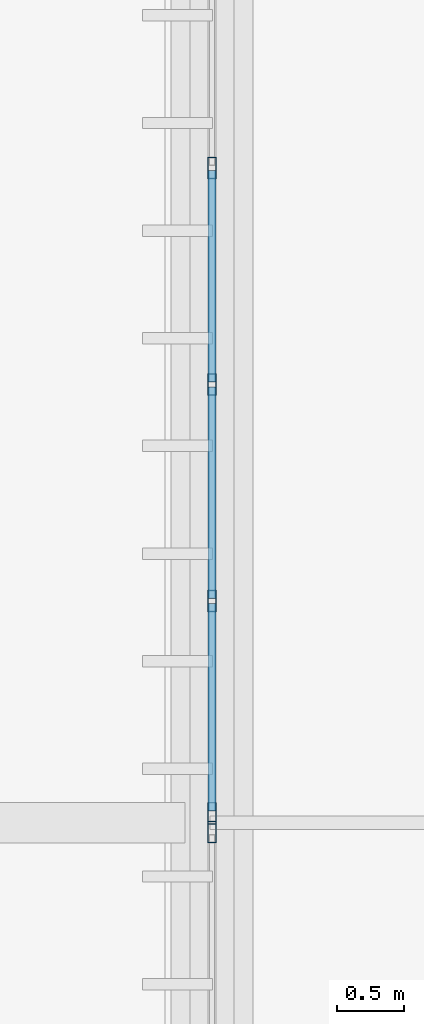
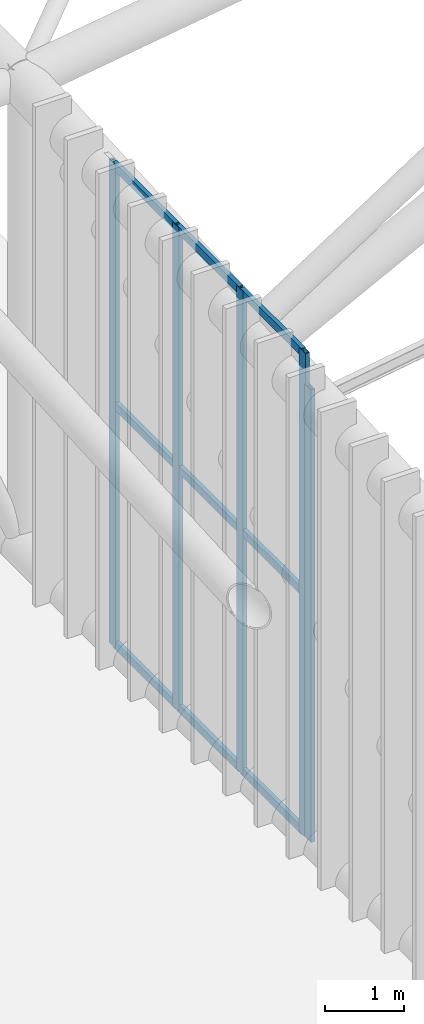
# One storey, part 64 of 397: 14 members, 2 elements without a shape of their own.
"""IFC4 building model written with IfcOpenShell, lengths in metres."""

import ifcopenshell
import ifcopenshell.guid

model = None  # the IFC model being written
_history = None  # IfcOwnerHistory: only IFC2X3 demands one
_inside = {}  # id of a spatial element -> (the spatial element, [elements in it])
_under = {}  # id of a project, library or spatial element -> (it, [spatial elements below it])
_declared = {}  # id of a project -> (the project, [libraries it declares])
_typed = {}  # id of a type object -> (the type object, [elements of that type])
_made_of = {}  # id of a material, layer set ... -> (it, [elements and type objects made of it])


def new_model(schema):
    """Start an empty IFC model of exactly this schema.

    Asked for "IFC4X3", IfcOpenShell would pick the latest addendum, in which some entities
    have other attributes; the version numbers below select the first issue.
    IFC2X3 requires an IfcOwnerHistory on every rooted entity: one is made here for all.
    """
    global model, _history
    if schema == "IFC4X3":
        model = ifcopenshell.file(schema_version=(4, 3, 0, 0))
    else:
        model = ifcopenshell.file(schema=schema)
    _inside.clear()
    _under.clear()
    _declared.clear()
    _typed.clear()
    _made_of.clear()
    _history = None
    if model.schema == "IFC2X3":
        org = make("IfcOrganization", Name="unknown")
        user = make(
            "IfcPersonAndOrganization",
            ThePerson=make("IfcPerson", FamilyName="unknown"),
            TheOrganization=org,
        )
        app = make(
            "IfcApplication",
            ApplicationDeveloper=org,
            Version="unknown",
            ApplicationFullName="unknown",
            ApplicationIdentifier="unknown",
        )
        _history = make(
            "IfcOwnerHistory",
            OwningUser=user,
            OwningApplication=app,
            ChangeAction="ADDED",
            CreationDate=0,
        )
    return model


def make(cls, **values):
    """One entity of the class cls with the attributes given. An attribute that is None is left unset."""
    return model.create_entity(
        cls, **{name: value for name, value in values.items() if value is not None}
    )


def rooted(cls, **values):
    """An entity with a GlobalId (a new one), such as an element, a storey or a relation."""
    return make(cls, GlobalId=ifcopenshell.guid.new(), OwnerHistory=_history, **values)


def si_unit(unit_type, name, prefix=None):
    """IfcSIUnit, for example si_unit("LENGTHUNIT", "METRE", prefix="MILLI")."""
    return make("IfcSIUnit", UnitType=unit_type, Prefix=prefix, Name=name)


def assignment(units):
    """IfcUnitAssignment: the units of a project."""
    return None if units is None else make("IfcUnitAssignment", Units=units)


def point(xyz):
    """IfcCartesianPoint."""
    return None if xyz is None else make("IfcCartesianPoint", Coordinates=xyz)


def direction(xyz):
    """IfcDirection."""
    return None if xyz is None else make("IfcDirection", DirectionRatios=xyz)


def frame(location, z_axis=None, x_axis=None):
    """IfcAxis2Placement3D, a coordinate frame: its origin and axes. An axis left out is left unset."""
    return make(
        "IfcAxis2Placement3D",
        Location=point(location),
        Axis=direction(z_axis),
        RefDirection=direction(x_axis),
    )


def frame_2d(location, x_axis=None):
    """IfcAxis2Placement2D, a coordinate frame in the plane: its origin and x axis."""
    return make(
        "IfcAxis2Placement2D", Location=point(location), RefDirection=direction(x_axis)
    )


def origin():
    """The frame at (0, 0, 0) with its axes left unset."""
    return frame((0.0, 0.0, 0.0))


def origin_2d():
    """The frame at (0, 0) in the plane with its x axis left unset."""
    return frame_2d((0.0, 0.0))


def place(relative_to, where):
    """IfcLocalPlacement: puts the frame where relative to a parent placement (None: the world)."""
    return make(
        "IfcLocalPlacement", PlacementRelTo=relative_to, RelativePlacement=where
    )


def context(
    kind, dimensions, precision=None, world=None, true_north=None, identifier=None
):
    """IfcGeometricRepresentationContext, for example the 3D "Model" context."""
    return make(
        "IfcGeometricRepresentationContext",
        ContextIdentifier=identifier,
        ContextType=kind,
        CoordinateSpaceDimension=dimensions,
        Precision=precision,
        WorldCoordinateSystem=world,
        TrueNorth=true_north,
    )


def subcontext(parent, identifier, kind, view, scale=None):
    """IfcGeometricRepresentationSubContext, for example "Body" below "Model"."""
    return make(
        "IfcGeometricRepresentationSubContext",
        ContextIdentifier=identifier,
        ContextType=kind,
        ParentContext=parent,
        TargetScale=scale,
        TargetView=view,
    )


def project(units=None, contexts=None):
    """IfcProject with its units and contexts."""
    return rooted(
        "IfcProject",
        Name="project",
        RepresentationContexts=contexts,
        UnitsInContext=assignment(units),
    )


def spatial(cls, under=None, at=None, **own):
    """A site, building, storey or space (cls), placed at a placement, below another one or the project."""
    s = rooted(cls, ObjectPlacement=at, **own)
    if under is not None:
        _under.setdefault(under.id(), (under, []))[1].append(s)
    return s


def profile(cls, at=None, kind="AREA", **sizes):
    """A parametric profile (cls). Its sizes go by their IFC names, for example OverallWidth=200.0."""
    return make(cls, ProfileType=kind, Position=at, **sizes)


def hollow_rectangle(**sizes):
    """IfcRectangleHollowProfileDef."""
    return profile("IfcRectangleHollowProfileDef", **sizes)


def extrude(swept, where, along, depth):
    """IfcExtrudedAreaSolid: the profile swept, set in the frame where, extruded along a direction by depth."""
    return make(
        "IfcExtrudedAreaSolid",
        SweptArea=swept,
        Position=where,
        ExtrudedDirection=direction(along),
        Depth=depth,
    )


def shape(context_of_items, identifier, shape_type, items):
    """IfcShapeRepresentation: the items that make up one representation, for example the "Body"."""
    return make(
        "IfcShapeRepresentation",
        ContextOfItems=context_of_items,
        RepresentationIdentifier=identifier,
        RepresentationType=shape_type,
        Items=items,
    )


def material(Name=None, Category=None):
    """IfcMaterial."""
    return make("IfcMaterial", Name=Name, Category=Category)


def material_profile(
    of_material, cross_section, Name=None, Category=None, Priority=None
):
    """IfcMaterialProfile: a cross section and its material."""
    return make(
        "IfcMaterialProfile",
        Name=Name,
        Material=of_material,
        Profile=cross_section,
        Priority=Priority,
        Category=Category,
    )


def profile_set(profiles, Name=None, composite=None):
    """IfcMaterialProfileSet."""
    return make(
        "IfcMaterialProfileSet",
        Name=Name,
        MaterialProfiles=profiles,
        CompositeProfile=composite,
    )


def made_of(thing, what):
    """Note that an element or type object is made of a material, layer set ...; save() writes the relation."""
    if what is not None:
        _made_of.setdefault(what.id(), (what, []))[1].append(thing)
    return thing


def type_object(cls, material=None, **own):
    """A type object (cls), such as IfcWallType, which elements share."""
    return made_of(rooted(cls, **own), material)


def element(
    cls,
    number,
    at=None,
    inside=None,
    cuts=None,
    type_object=None,
    material=None,
    context=None,
    identifier="Body",
    shape_type=None,
    held_by="IfcProductDefinitionShape",
    body=None,
    shapes=None,
    **own,
):
    """One element of the class cls, such as IfcWall. Its Tag is "e" and its number.

    at: its placement. inside: the storey or other place that contains it. cuts: it is an
    opening in that element (IfcRelVoidsElement). A single representation is given by context,
    identifier, shape_type and body (its items); several are given by shapes. held_by: the class
    of the entity that holds the representations. save() writes the other relations.
    """
    e = rooted(cls, Tag="e%d" % number, ObjectPlacement=at, **own)
    if body is not None:
        shapes = [shape(context, identifier, shape_type, body)]
    if shapes is not None:
        e.Representation = make(held_by, Representations=shapes)
    if inside is not None:
        _inside.setdefault(inside.id(), (inside, []))[1].append(e)
    if cuts is not None:
        rooted(
            "IfcRelVoidsElement", RelatingBuildingElement=cuts, RelatedOpeningElement=e
        )
    if type_object is not None:
        _typed.setdefault(type_object.id(), (type_object, []))[1].append(e)
    return made_of(e, material)


def aggregate(whole, parts):
    """IfcRelAggregates: a whole, such as a stair, and the parts it consists of."""
    return rooted("IfcRelAggregates", RelatingObject=whole, RelatedObjects=parts)


def save(model, path):
    """Write the relations noted so far, then the file.

    IfcRelAggregates (storeys below a building ...), IfcRelContainedInSpatialStructure (elements
    in a storey), IfcRelDefinesByType, IfcRelAssociatesMaterial and IfcRelDeclares: one each for
    every whole, place, type object, material and project.
    """
    for whole, parts in _under.values():
        aggregate(whole, parts)
    for where, things in _inside.values():
        rooted(
            "IfcRelContainedInSpatialStructure",
            RelatedElements=things,
            RelatingStructure=where,
        )
    for kind, things in _typed.values():
        rooted("IfcRelDefinesByType", RelatedObjects=things, RelatingType=kind)
    for what, things in _made_of.values():
        rooted("IfcRelAssociatesMaterial", RelatedObjects=things, RelatingMaterial=what)
    for by, libraries in _declared.values():
        rooted("IfcRelDeclares", RelatingContext=by, RelatedDefinitions=libraries)
    model.write(path)


model = new_model("IFC4")

# Units and contexts
model_context = context("Model", 3, precision=1e-05, world=origin(), true_north=direction((0.0, 1.0)))
body_context = subcontext(model_context, "Body", "Model", "MODEL_VIEW")
ifc_project = project(units=[si_unit("LENGTHUNIT", "METRE"), si_unit("AREAUNIT", "SQUARE_METRE"), si_unit("VOLUMEUNIT", "CUBIC_METRE"), si_unit("PLANEANGLEUNIT", "RADIAN"), si_unit("MASSUNIT", "GRAM", prefix="KILO")], contexts=[model_context])

# Site, building, storey
site_placement = place(None, origin())
site = spatial("IfcSite", under=ifc_project, at=site_placement, CompositionType="ELEMENT")
building_placement = place(site_placement, origin())
building = spatial("IfcBuilding", under=site, at=building_placement, Name="Qandorah Velis Arena", CompositionType="ELEMENT")
storey_placement = place(building_placement, frame((0.0, 0.0, 27.5)))
storey = spatial("IfcBuildingStorey", under=building, at=storey_placement, Name="RF", CompositionType="ELEMENT", Elevation=27.5)

# Curtain wall, member
ifc_material_1 = material(Name="Solar-control low-E double glazing", Category="glass")
curtain_wall_type_1 = type_object("IfcCurtainWallType", Name="ARC-CW-SYS03", PredefinedType="USERDEFINED", material=ifc_material_1)
curtain_wall_1_placement = place(storey_placement, origin())
curtain_wall_1 = element("IfcCurtainWall", 1, at=curtain_wall_1_placement, inside=storey, type_object=curtain_wall_type_1, Name="Unitised curtain wall CROWN-1-03S1", ObjectType="UNITISED CURTAIN WALL", PredefinedType="USERDEFINED")
ifc_material_2 = material(Name="Champagne-bronze anodized aluminium 6063-T6", Category="aluminium")
ifc_material_profile_1 = material_profile(ifc_material_2, hollow_rectangle(XDim=0.06005859375, YDim=0.159912109375, WallThickness=0.00341796875, at=origin_2d()), Name="ALU MULLION 60x160")
ifc_profile_set_1 = profile_set([ifc_material_profile_1], Name="Champagne-bronze anodized aluminium 6063-T6")
member_type_1 = type_object("IfcMemberType", Name="ARC-CWM-160", PredefinedType="MULLION", material=ifc_profile_set_1)
member_1_placement = place(storey_placement, frame((14.39990234375, 50.330078125, -0.014892578125), z_axis=(0.0, 0.0, 1.0), x_axis=(-1.0, 0.0, 0.0)))
member_1 = element("IfcMember", 2, at=member_1_placement, type_object=member_type_1, Name="CW03 mullion 5", PredefinedType="MULLION", context=body_context, shape_type="SweptSolid", body=[
    extrude(hollow_rectangle(XDim=0.06005859375, YDim=0.159912109375, WallThickness=0.00341796875, at=origin_2d()), origin(), (0.0, 0.0, 1.0), 6.9765625),
])
aggregate(curtain_wall_1, [member_1])

# Curtain wall, members
curtain_wall_type_2 = type_object("IfcCurtainWallType", Name="ARC-CW-SYS04", PredefinedType="USERDEFINED", material=ifc_material_1)
curtain_wall_2_placement = place(storey_placement, origin())
curtain_wall_2 = element("IfcCurtainWall", 3, at=curtain_wall_2_placement, inside=storey, type_object=curtain_wall_type_2, Name="Unitised curtain wall CROWN-1-03S2", ObjectType="UNITISED CURTAIN WALL", PredefinedType="USERDEFINED")
member_2_placement = place(storey_placement, frame((14.39990234375, 50.469970703125, -0.014892578125), z_axis=(0.0, 0.0, 1.0), x_axis=(-1.0, 0.0, 0.0)))
member_2 = element("IfcMember", 4, at=member_2_placement, type_object=member_type_1, Name="CW04 mullion 1", PredefinedType="MULLION", context=body_context, shape_type="SweptSolid", body=[
    extrude(hollow_rectangle(XDim=0.06005859375, YDim=0.159912109375, WallThickness=0.00341796875, at=origin_2d()), origin(), (0.0, 0.0, 1.0), 7.452392578125),
])
member_3_placement = place(storey_placement, frame((14.39990234375, 52.048828125, -0.014892578125), z_axis=(0.0, 0.0, 1.0), x_axis=(-1.0, 0.0, 0.0)))
member_3 = element("IfcMember", 5, at=member_3_placement, type_object=member_type_1, Name="CW04 mullion 2", PredefinedType="MULLION", context=body_context, shape_type="SweptSolid", body=[
    extrude(hollow_rectangle(XDim=0.06005859375, YDim=0.159912109375, WallThickness=0.00341796875, at=origin_2d()), origin(), (0.0, 0.0, 1.0), 7.452392578125),
])
member_4_placement = place(storey_placement, frame((14.39990234375, 53.657470703125, -0.014892578125), z_axis=(0.0, 0.0, 1.0), x_axis=(-1.0, 0.0, 0.0)))
member_4 = element("IfcMember", 6, at=member_4_placement, type_object=member_type_1, Name="CW04 mullion 3", PredefinedType="MULLION", context=body_context, shape_type="SweptSolid", body=[
    extrude(hollow_rectangle(XDim=0.06005859375, YDim=0.159912109375, WallThickness=0.00341796875, at=origin_2d()), origin(), (0.0, 0.0, 1.0), 7.452392578125),
])
member_5_placement = place(storey_placement, frame((14.39990234375, 55.266357421875, -0.014892578125), z_axis=(0.0, 0.0, 1.0), x_axis=(-1.0, 0.0, 0.0)))
member_5 = element("IfcMember", 7, at=member_5_placement, type_object=member_type_1, Name="CW04 mullion 4", PredefinedType="MULLION", context=body_context, shape_type="SweptSolid", body=[
    extrude(hollow_rectangle(XDim=0.06005859375, YDim=0.159912109375, WallThickness=0.00341796875, at=origin_2d()), origin(), (0.0, 0.0, 1.0), 7.452392578125),
])
ifc_material_profile_2 = material_profile(ifc_material_2, hollow_rectangle(XDim=0.06005859375, YDim=0.1201171875, WallThickness=0.0029296875, at=origin_2d()), Name="ALU TRANSOM 60x120")
ifc_profile_set_2 = profile_set([ifc_material_profile_2], Name="Champagne-bronze anodized aluminium 6063-T6")
member_type_2 = type_object("IfcMemberType", Name="ARC-CWT-120", PredefinedType="USERDEFINED", material=ifc_profile_set_2)
member_6_placement = place(storey_placement, frame((14.39990234375, 50.488037109375, 0.030029296875), z_axis=(0.0, 1.0, 0.0), x_axis=(-1.0, 0.0, 0.0)))
member_6 = element("IfcMember", 8, at=member_6_placement, type_object=member_type_2, Name="CW04 transom 1.1", ObjectType="TRANSOM", PredefinedType="USERDEFINED", context=body_context, shape_type="SweptSolid", body=[
    extrude(hollow_rectangle(XDim=0.06005859375, YDim=0.1201171875, WallThickness=0.0029296875, at=origin_2d()), origin(), (0.0, 0.0, 1.0), 1.542724609375),
])
member_7_placement = place(storey_placement, frame((14.39990234375, 50.488037109375, 3.711181640625), z_axis=(0.0, 1.0, 0.0), x_axis=(-1.0, 0.0, 0.0)))
member_7 = element("IfcMember", 9, at=member_7_placement, type_object=member_type_2, Name="CW04 transom 1.2", ObjectType="TRANSOM", PredefinedType="USERDEFINED", context=body_context, shape_type="SweptSolid", body=[
    extrude(hollow_rectangle(XDim=0.06005859375, YDim=0.1201171875, WallThickness=0.0029296875, at=origin_2d()), origin(), (0.0, 0.0, 1.0), 1.542724609375),
])
member_8_placement = place(storey_placement, frame((14.39990234375, 50.488037109375, 7.392578125), z_axis=(0.0, 1.0, 0.0), x_axis=(-1.0, 0.0, 0.0)))
member_8 = element("IfcMember", 10, at=member_8_placement, type_object=member_type_2, Name="CW04 transom 1.3", ObjectType="TRANSOM", PredefinedType="USERDEFINED", context=body_context, shape_type="SweptSolid", body=[
    extrude(hollow_rectangle(XDim=0.06005859375, YDim=0.1201171875, WallThickness=0.0029296875, at=origin_2d()), origin(), (0.0, 0.0, 1.0), 1.542724609375),
])
member_9_placement = place(storey_placement, frame((14.39990234375, 52.066650390625, 0.030029296875), z_axis=(0.0, 1.0, 0.0), x_axis=(-1.0, 0.0, 0.0)))
member_9 = element("IfcMember", 11, at=member_9_placement, type_object=member_type_2, Name="CW04 transom 2.1", ObjectType="TRANSOM", PredefinedType="USERDEFINED", context=body_context, shape_type="SweptSolid", body=[
    extrude(hollow_rectangle(XDim=0.06005859375, YDim=0.1201171875, WallThickness=0.0029296875, at=origin_2d()), origin(), (0.0, 0.0, 1.0), 1.57275390625),
])
member_10_placement = place(storey_placement, frame((14.39990234375, 52.066650390625, 3.711181640625), z_axis=(0.0, 1.0, 0.0), x_axis=(-1.0, 0.0, 0.0)))
member_10 = element("IfcMember", 12, at=member_10_placement, type_object=member_type_2, Name="CW04 transom 2.2", ObjectType="TRANSOM", PredefinedType="USERDEFINED", context=body_context, shape_type="SweptSolid", body=[
    extrude(hollow_rectangle(XDim=0.06005859375, YDim=0.1201171875, WallThickness=0.0029296875, at=origin_2d()), origin(), (0.0, 0.0, 1.0), 1.57275390625),
])
member_11_placement = place(storey_placement, frame((14.39990234375, 52.066650390625, 7.392578125), z_axis=(0.0, 1.0, 0.0), x_axis=(-1.0, 0.0, 0.0)))
member_11 = element("IfcMember", 13, at=member_11_placement, type_object=member_type_2, Name="CW04 transom 2.3", ObjectType="TRANSOM", PredefinedType="USERDEFINED", context=body_context, shape_type="SweptSolid", body=[
    extrude(hollow_rectangle(XDim=0.06005859375, YDim=0.1201171875, WallThickness=0.0029296875, at=origin_2d()), origin(), (0.0, 0.0, 1.0), 1.57275390625),
])
member_12_placement = place(storey_placement, frame((14.39990234375, 53.675537109375, 0.030029296875), z_axis=(0.0, 1.0, 0.0), x_axis=(-1.0, 0.0, 0.0)))
member_12 = element("IfcMember", 14, at=member_12_placement, type_object=member_type_2, Name="CW04 transom 3.1", ObjectType="TRANSOM", PredefinedType="USERDEFINED", context=body_context, shape_type="SweptSolid", body=[
    extrude(hollow_rectangle(XDim=0.06005859375, YDim=0.1201171875, WallThickness=0.0029296875, at=origin_2d()), origin(), (0.0, 0.0, 1.0), 1.57275390625),
])
member_13_placement = place(storey_placement, frame((14.39990234375, 53.675537109375, 3.711181640625), z_axis=(0.0, 1.0, 0.0), x_axis=(-1.0, 0.0, 0.0)))
member_13 = element("IfcMember", 15, at=member_13_placement, type_object=member_type_2, Name="CW04 transom 3.2", ObjectType="TRANSOM", PredefinedType="USERDEFINED", context=body_context, shape_type="SweptSolid", body=[
    extrude(hollow_rectangle(XDim=0.06005859375, YDim=0.1201171875, WallThickness=0.0029296875, at=origin_2d()), origin(), (0.0, 0.0, 1.0), 1.57275390625),
])
member_14_placement = place(storey_placement, frame((14.39990234375, 53.675537109375, 7.392578125), z_axis=(0.0, 1.0, 0.0), x_axis=(-1.0, 0.0, 0.0)))
member_14 = element("IfcMember", 16, at=member_14_placement, type_object=member_type_2, Name="CW04 transom 3.3", ObjectType="TRANSOM", PredefinedType="USERDEFINED", context=body_context, shape_type="SweptSolid", body=[
    extrude(hollow_rectangle(XDim=0.06005859375, YDim=0.1201171875, WallThickness=0.0029296875, at=origin_2d()), origin(), (0.0, 0.0, 1.0), 1.57275390625),
])
aggregate(curtain_wall_2, [member_2, member_3, member_4, member_5, member_6, member_7, member_8, member_9, member_10, member_11, member_12, member_13, member_14])

save(model, "model.ifc")
